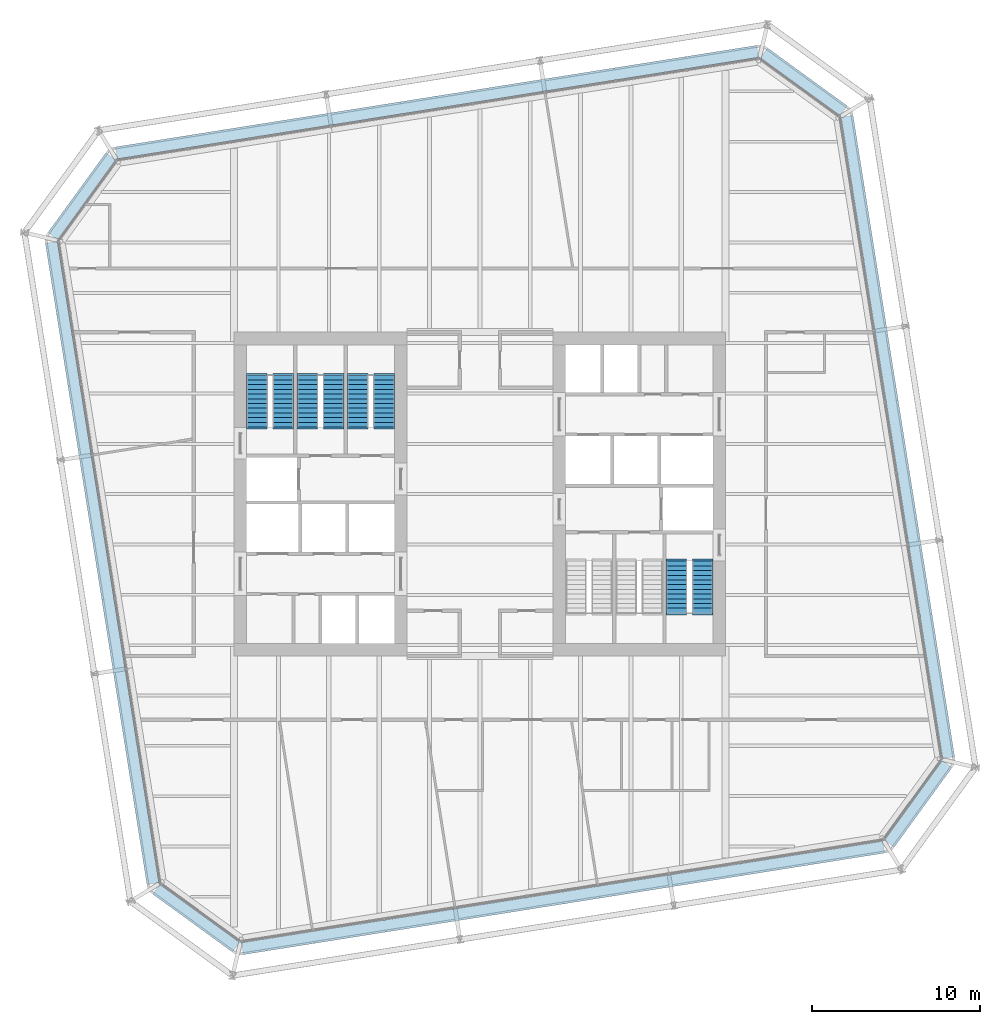
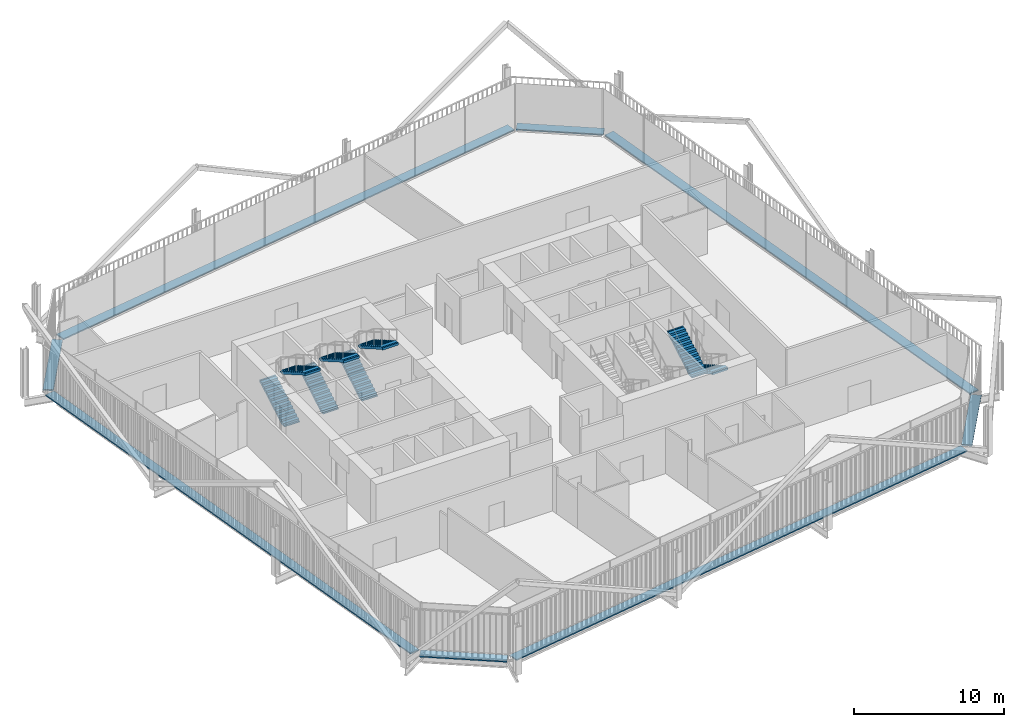
# One storey, part 21 of 22: 8 discrete accessories, 8 stair flights, 4 elements without a shape of their own.
"""IFC4 building model written with IfcOpenShell, lengths in metres."""

from ifc_helpers import new_model, si_unit, direction, frame, origin, origin_2d, place, context, subcontext, project, spatial, polyline, rectangle, outline, extrude, material, type_object, element, aggregate, save


model = new_model("IFC4")

# Units and contexts
model_context = context("Model", 3, precision=1e-05, world=origin(), true_north=direction((0.0, 1.0)))
body_context = subcontext(model_context, "Body", "Model", "MODEL_VIEW")
ifc_project = project(units=[si_unit("LENGTHUNIT", "METRE"), si_unit("AREAUNIT", "SQUARE_METRE"), si_unit("VOLUMEUNIT", "CUBIC_METRE"), si_unit("PLANEANGLEUNIT", "RADIAN"), si_unit("MASSUNIT", "GRAM", prefix="KILO")], contexts=[model_context])

# Site, building, storey
site_placement = place(None, origin())
site = spatial("IfcSite", under=ifc_project, at=site_placement, CompositionType="ELEMENT")
building_placement = place(site_placement, origin())
building = spatial("IfcBuilding", under=site, at=building_placement, Name="Millrace Tower", CompositionType="ELEMENT")
storey_placement = place(building_placement, frame((0.0, 0.0, 145.10009765625)))
storey = spatial("IfcBuildingStorey", under=building, at=storey_placement, Name="L32", CompositionType="ELEMENT", Elevation=145.10009765625)

# Stair, stair flights
ifc_material_1 = material(Name="Concrete C35", Category="concrete")
stair_type = type_object("IfcStairType", Name="Exit stair", PredefinedType="HALF_TURN_STAIR", material=ifc_material_1)
placement = place(storey_placement, origin())
stair_1 = element("IfcStair", 1, at=placement, inside=storey, type_object=stair_type, Name="Stair 1 W L32", PredefinedType="HALF_TURN_STAIR")
ifc_material_2 = material(Name="Concrete C35", Category="concrete")
stair_flight_type = type_object("IfcStairFlightType", Name="Exit stair flight", PredefinedType="STRAIGHT", material=ifc_material_2)
stair_flight_1_placement = place(storey_placement, frame((-13.2900390625, 4.0, 0.0), z_axis=(0.0, 0.0, 1.0), x_axis=(0.0, 1.0, 0.0)))
stair_flight_1 = element("IfcStairFlight", 2, at=stair_flight_1_placement, type_object=stair_flight_type, Name="ST12 flight 1", NumberOfRisers=12, NumberOfTreads=11, PredefinedType="STRAIGHT", RiserHeight=0.1625, TreadLength=0.28, context=body_context, shape_type="SweptSolid", body=[
    extrude(outline(polyline([(-0.1201171875, -0.0400390625), (-0.1201171875, 0.0), (0.0, 0.0), (0.0, 0.16259765625), (0.280029296875, 0.16259765625), (0.280029296875, 0.324951171875), (0.56005859375, 0.324951171875), (0.56005859375, 0.487548828125), (0.840087890625, 0.487548828125), (0.840087890625, 0.64990234375), (1.1201171875, 0.64990234375), (1.1201171875, 0.8125), (1.39990234375, 0.8125), (1.39990234375, 0.97509765625), (1.679931640625, 0.97509765625), (1.679931640625, 1.137451171875), (1.9599609375, 1.137451171875), (1.9599609375, 1.300048828125), (2.239990234375, 1.300048828125), (2.239990234375, 1.46240234375), (2.52001953125, 1.46240234375), (2.52001953125, 1.625), (2.800048828125, 1.625), (2.800048828125, 1.78759765625), (3.080078125, 1.78759765625), (3.080078125, 1.8076171875), (3.199951171875, 1.8076171875), (3.199951171875, 1.6142578125), (3.080078125, 1.6142578125), (0.298583984375, 0.0), (0.298583984375, -0.0400390625), (-0.1201171875, -0.0400390625)])), frame((0.0, 0.60986328125, 0.0), z_axis=(0.0, -1.0, 0.0), x_axis=(1.0, 0.0, 0.0)), (0.0, 0.0, 1.0), 1.219970703125),
])
stair_flight_2_placement = place(storey_placement, frame((-11.7099609375, 7.080078125, 1.949951171875), z_axis=(0.0, 0.0, 1.0), x_axis=(0.0, -1.0, 0.0)))
stair_flight_2 = element("IfcStairFlight", 3, at=stair_flight_2_placement, type_object=stair_flight_type, Name="ST12 flight 2", NumberOfRisers=12, NumberOfTreads=11, PredefinedType="STRAIGHT", RiserHeight=0.1625, TreadLength=0.28, context=body_context, shape_type="SweptSolid", body=[
    extrude(outline(polyline([(-0.1201171875, -0.0400390625), (-0.1201171875, 0.0), (0.0, 0.0), (0.0, 0.16259765625), (0.280029296875, 0.16259765625), (0.280029296875, 0.324951171875), (0.56005859375, 0.324951171875), (0.56005859375, 0.487548828125), (0.840087890625, 0.487548828125), (0.840087890625, 0.64990234375), (1.1201171875, 0.64990234375), (1.1201171875, 0.8125), (1.39990234375, 0.8125), (1.39990234375, 0.97509765625), (1.679931640625, 0.97509765625), (1.679931640625, 1.137451171875), (1.9599609375, 1.137451171875), (1.9599609375, 1.300048828125), (2.239990234375, 1.300048828125), (2.239990234375, 1.46240234375), (2.52001953125, 1.46240234375), (2.52001953125, 1.625), (2.800048828125, 1.625), (2.800048828125, 1.78759765625), (3.080078125, 1.78759765625), (3.080078125, 1.8076171875), (3.199951171875, 1.8076171875), (3.199951171875, 1.6142578125), (3.080078125, 1.6142578125), (0.298583984375, 0.0), (0.298583984375, -0.0400390625), (-0.1201171875, -0.0400390625)])), frame((0.0, 0.60986328125, 0.0), z_axis=(0.0, -1.0, 0.0), x_axis=(1.0, 0.0, 0.0)), (0.0, 0.0, 1.0), 1.219970703125),
])
aggregate(stair_1, [stair_flight_1, stair_flight_2])

stair_2 = element("IfcStair", 4, at=placement, inside=storey, type_object=stair_type, Name="Stair 2 W L32", PredefinedType="HALF_TURN_STAIR")
stair_flight_3_placement = place(storey_placement, frame((-10.2900390625, 4.0, 0.0), z_axis=(0.0, 0.0, 1.0), x_axis=(0.0, 1.0, 0.0)))
stair_flight_3 = element("IfcStairFlight", 5, at=stair_flight_3_placement, type_object=stair_flight_type, Name="ST12 flight 1", NumberOfRisers=12, NumberOfTreads=11, PredefinedType="STRAIGHT", RiserHeight=0.1625, TreadLength=0.28, context=body_context, shape_type="SweptSolid", body=[
    extrude(outline(polyline([(-0.1201171875, -0.0400390625), (-0.1201171875, 0.0), (0.0, 0.0), (0.0, 0.16259765625), (0.280029296875, 0.16259765625), (0.280029296875, 0.324951171875), (0.56005859375, 0.324951171875), (0.56005859375, 0.487548828125), (0.840087890625, 0.487548828125), (0.840087890625, 0.64990234375), (1.1201171875, 0.64990234375), (1.1201171875, 0.8125), (1.39990234375, 0.8125), (1.39990234375, 0.97509765625), (1.679931640625, 0.97509765625), (1.679931640625, 1.137451171875), (1.9599609375, 1.137451171875), (1.9599609375, 1.300048828125), (2.239990234375, 1.300048828125), (2.239990234375, 1.46240234375), (2.52001953125, 1.46240234375), (2.52001953125, 1.625), (2.800048828125, 1.625), (2.800048828125, 1.78759765625), (3.080078125, 1.78759765625), (3.080078125, 1.8076171875), (3.199951171875, 1.8076171875), (3.199951171875, 1.6142578125), (3.080078125, 1.6142578125), (0.298583984375, 0.0), (0.298583984375, -0.0400390625), (-0.1201171875, -0.0400390625)])), frame((0.0, 0.60986328125, 0.0), z_axis=(0.0, -1.0, 0.0), x_axis=(1.0, 0.0, 0.0)), (0.0, 0.0, 1.0), 1.219970703125),
])
stair_flight_4_placement = place(storey_placement, frame((-8.7099609375, 7.080078125, 1.949951171875), z_axis=(0.0, 0.0, 1.0), x_axis=(0.0, -1.0, 0.0)))
stair_flight_4 = element("IfcStairFlight", 6, at=stair_flight_4_placement, type_object=stair_flight_type, Name="ST12 flight 2", NumberOfRisers=12, NumberOfTreads=11, PredefinedType="STRAIGHT", RiserHeight=0.1625, TreadLength=0.28, context=body_context, shape_type="SweptSolid", body=[
    extrude(outline(polyline([(-0.1201171875, -0.0400390625), (-0.1201171875, 0.0), (0.0, 0.0), (0.0, 0.16259765625), (0.280029296875, 0.16259765625), (0.280029296875, 0.324951171875), (0.56005859375, 0.324951171875), (0.56005859375, 0.487548828125), (0.840087890625, 0.487548828125), (0.840087890625, 0.64990234375), (1.1201171875, 0.64990234375), (1.1201171875, 0.8125), (1.39990234375, 0.8125), (1.39990234375, 0.97509765625), (1.679931640625, 0.97509765625), (1.679931640625, 1.137451171875), (1.9599609375, 1.137451171875), (1.9599609375, 1.300048828125), (2.239990234375, 1.300048828125), (2.239990234375, 1.46240234375), (2.52001953125, 1.46240234375), (2.52001953125, 1.625), (2.800048828125, 1.625), (2.800048828125, 1.78759765625), (3.080078125, 1.78759765625), (3.080078125, 1.8076171875), (3.199951171875, 1.8076171875), (3.199951171875, 1.6142578125), (3.080078125, 1.6142578125), (0.298583984375, 0.0), (0.298583984375, -0.0400390625), (-0.1201171875, -0.0400390625)])), frame((0.0, 0.60986328125, 0.0), z_axis=(0.0, -1.0, 0.0), x_axis=(1.0, 0.0, 0.0)), (0.0, 0.0, 1.0), 1.219970703125),
])
aggregate(stair_2, [stair_flight_3, stair_flight_4])

stair_3 = element("IfcStair", 7, at=placement, inside=storey, type_object=stair_type, Name="Stair 3 W L32", PredefinedType="HALF_TURN_STAIR")
stair_flight_5_placement = place(storey_placement, frame((-7.2900390625, 4.0, 0.0), z_axis=(0.0, 0.0, 1.0), x_axis=(0.0, 1.0, 0.0)))
stair_flight_5 = element("IfcStairFlight", 8, at=stair_flight_5_placement, type_object=stair_flight_type, Name="ST12 flight 1", NumberOfRisers=12, NumberOfTreads=11, PredefinedType="STRAIGHT", RiserHeight=0.1625, TreadLength=0.28, context=body_context, shape_type="SweptSolid", body=[
    extrude(outline(polyline([(-0.1201171875, -0.0400390625), (-0.1201171875, 0.0), (0.0, 0.0), (0.0, 0.16259765625), (0.280029296875, 0.16259765625), (0.280029296875, 0.324951171875), (0.56005859375, 0.324951171875), (0.56005859375, 0.487548828125), (0.840087890625, 0.487548828125), (0.840087890625, 0.64990234375), (1.1201171875, 0.64990234375), (1.1201171875, 0.8125), (1.39990234375, 0.8125), (1.39990234375, 0.97509765625), (1.679931640625, 0.97509765625), (1.679931640625, 1.137451171875), (1.9599609375, 1.137451171875), (1.9599609375, 1.300048828125), (2.239990234375, 1.300048828125), (2.239990234375, 1.46240234375), (2.52001953125, 1.46240234375), (2.52001953125, 1.625), (2.800048828125, 1.625), (2.800048828125, 1.78759765625), (3.080078125, 1.78759765625), (3.080078125, 1.8076171875), (3.199951171875, 1.8076171875), (3.199951171875, 1.6142578125), (3.080078125, 1.6142578125), (0.298583984375, 0.0), (0.298583984375, -0.0400390625), (-0.1201171875, -0.0400390625)])), frame((0.0, 0.60986328125, 0.0), z_axis=(0.0, -1.0, 0.0), x_axis=(1.0, 0.0, 0.0)), (0.0, 0.0, 1.0), 1.219970703125),
])
stair_flight_6_placement = place(storey_placement, frame((-5.7099609375, 7.080078125, 1.949951171875), z_axis=(0.0, 0.0, 1.0), x_axis=(0.0, -1.0, 0.0)))
stair_flight_6 = element("IfcStairFlight", 9, at=stair_flight_6_placement, type_object=stair_flight_type, Name="ST12 flight 2", NumberOfRisers=12, NumberOfTreads=11, PredefinedType="STRAIGHT", RiserHeight=0.1625, TreadLength=0.28, context=body_context, shape_type="SweptSolid", body=[
    extrude(outline(polyline([(-0.1201171875, -0.0400390625), (-0.1201171875, 0.0), (0.0, 0.0), (0.0, 0.16259765625), (0.280029296875, 0.16259765625), (0.280029296875, 0.324951171875), (0.56005859375, 0.324951171875), (0.56005859375, 0.487548828125), (0.840087890625, 0.487548828125), (0.840087890625, 0.64990234375), (1.1201171875, 0.64990234375), (1.1201171875, 0.8125), (1.39990234375, 0.8125), (1.39990234375, 0.97509765625), (1.679931640625, 0.97509765625), (1.679931640625, 1.137451171875), (1.9599609375, 1.137451171875), (1.9599609375, 1.300048828125), (2.239990234375, 1.300048828125), (2.239990234375, 1.46240234375), (2.52001953125, 1.46240234375), (2.52001953125, 1.625), (2.800048828125, 1.625), (2.800048828125, 1.78759765625), (3.080078125, 1.78759765625), (3.080078125, 1.8076171875), (3.199951171875, 1.8076171875), (3.199951171875, 1.6142578125), (3.080078125, 1.6142578125), (0.298583984375, 0.0), (0.298583984375, -0.0400390625), (-0.1201171875, -0.0400390625)])), frame((0.0, 0.60986328125, 0.0), z_axis=(0.0, -1.0, 0.0), x_axis=(1.0, 0.0, 0.0)), (0.0, 0.0, 1.0), 1.219970703125),
])
aggregate(stair_3, [stair_flight_5, stair_flight_6])

stair_4 = element("IfcStair", 10, at=placement, inside=storey, type_object=stair_type, Name="Stair 1 E L32", PredefinedType="HALF_TURN_STAIR")
stair_flight_7_placement = place(storey_placement, frame((13.2900390625, -4.0, 0.0), z_axis=(0.0, 0.0, 1.0), x_axis=(0.0, -1.0, 0.0)))
stair_flight_7 = element("IfcStairFlight", 11, at=stair_flight_7_placement, type_object=stair_flight_type, Name="ST12 flight 1", NumberOfRisers=12, NumberOfTreads=11, PredefinedType="STRAIGHT", RiserHeight=0.1625, TreadLength=0.28, context=body_context, shape_type="SweptSolid", body=[
    extrude(outline(polyline([(-0.1201171875, -0.0400390625), (-0.1201171875, 0.0), (0.0, 0.0), (0.0, 0.16259765625), (0.280029296875, 0.16259765625), (0.280029296875, 0.324951171875), (0.56005859375, 0.324951171875), (0.56005859375, 0.487548828125), (0.840087890625, 0.487548828125), (0.840087890625, 0.64990234375), (1.1201171875, 0.64990234375), (1.1201171875, 0.8125), (1.39990234375, 0.8125), (1.39990234375, 0.97509765625), (1.679931640625, 0.97509765625), (1.679931640625, 1.137451171875), (1.9599609375, 1.137451171875), (1.9599609375, 1.300048828125), (2.239990234375, 1.300048828125), (2.239990234375, 1.46240234375), (2.52001953125, 1.46240234375), (2.52001953125, 1.625), (2.800048828125, 1.625), (2.800048828125, 1.78759765625), (3.080078125, 1.78759765625), (3.080078125, 1.8076171875), (3.199951171875, 1.8076171875), (3.199951171875, 1.6142578125), (3.080078125, 1.6142578125), (0.298583984375, 0.0), (0.298583984375, -0.0400390625), (-0.1201171875, -0.0400390625)])), frame((0.0, 0.60986328125, 0.0), z_axis=(0.0, -1.0, 0.0), x_axis=(1.0, 0.0, 0.0)), (0.0, 0.0, 1.0), 1.219970703125),
])
stair_flight_8_placement = place(storey_placement, frame((11.7099609375, -7.080078125, 1.949951171875), z_axis=(0.0, 0.0, 1.0), x_axis=(0.0, 1.0, 0.0)))
stair_flight_8 = element("IfcStairFlight", 12, at=stair_flight_8_placement, type_object=stair_flight_type, Name="ST12 flight 2", NumberOfRisers=12, NumberOfTreads=11, PredefinedType="STRAIGHT", RiserHeight=0.1625, TreadLength=0.28, context=body_context, shape_type="SweptSolid", body=[
    extrude(outline(polyline([(-0.1201171875, -0.0400390625), (-0.1201171875, 0.0), (0.0, 0.0), (0.0, 0.16259765625), (0.280029296875, 0.16259765625), (0.280029296875, 0.324951171875), (0.56005859375, 0.324951171875), (0.56005859375, 0.487548828125), (0.840087890625, 0.487548828125), (0.840087890625, 0.64990234375), (1.1201171875, 0.64990234375), (1.1201171875, 0.8125), (1.39990234375, 0.8125), (1.39990234375, 0.97509765625), (1.679931640625, 0.97509765625), (1.679931640625, 1.137451171875), (1.9599609375, 1.137451171875), (1.9599609375, 1.300048828125), (2.239990234375, 1.300048828125), (2.239990234375, 1.46240234375), (2.52001953125, 1.46240234375), (2.52001953125, 1.625), (2.800048828125, 1.625), (2.800048828125, 1.78759765625), (3.080078125, 1.78759765625), (3.080078125, 1.8076171875), (3.199951171875, 1.8076171875), (3.199951171875, 1.6142578125), (3.080078125, 1.6142578125), (0.298583984375, 0.0), (0.298583984375, -0.0400390625), (-0.1201171875, -0.0400390625)])), frame((0.0, 0.60986328125, 0.0), z_axis=(0.0, -1.0, 0.0), x_axis=(1.0, 0.0, 0.0)), (0.0, 0.0, 1.0), 1.219970703125),
])
aggregate(stair_4, [stair_flight_7, stair_flight_8])

# Discrete accessories
ifc_material_3 = material(Name="Stainless steel ASTM A240 type 316", Category="steel")
discrete_accessory_type = type_object("IfcDiscreteAccessoryType", Name="Thermally broken screen support rail", PredefinedType="BRACKET", material=ifc_material_3)
discrete_accessory_1_placement = place(storey_placement, frame((-16.909423828125, -25.275390625, -0.000244140625), z_axis=(0.0, 0.0, 1.0), x_axis=(0.809016981623, -0.587785269844, 0.0)))
element("IfcDiscreteAccessory", 13, at=discrete_accessory_1_placement, inside=storey, type_object=discrete_accessory_type, Name="Thermally broken screen support rail C-F01 L32 1", PredefinedType="BRACKET", context=body_context, shape_type="SweptSolid", body=[
    extrude(rectangle(XDim=5.868896484375, YDim=0.719970703125, at=origin_2d()), origin(), (0.0, 0.0, 1.0), 0.10009765625),
])
discrete_accessory_2_placement = place(storey_placement, frame((4.9560546875, -24.064453125, -0.000244140625), z_axis=(0.0, 0.0, 1.0), x_axis=(0.98768833929, 0.15643447328, 0.0)))
element("IfcDiscreteAccessory", 14, at=discrete_accessory_2_placement, inside=storey, type_object=discrete_accessory_type, Name="Thermally broken screen support rail C-F02 L32 1", PredefinedType="BRACKET", context=body_context, shape_type="SweptSolid", body=[
    extrude(rectangle(XDim=38.699951171875, YDim=0.719970703125, at=origin_2d()), origin(), (0.0, 0.0, 1.0), 0.10009765625),
])
discrete_accessory_3_placement = place(storey_placement, frame((26.12548828125, -18.45947265625, -0.000244140625), z_axis=(0.0, 0.0, 1.0), x_axis=(0.587785269844, 0.809016981623, 0.0)))
element("IfcDiscreteAccessory", 15, at=discrete_accessory_3_placement, inside=storey, type_object=discrete_accessory_type, Name="Thermally broken screen support rail C-F03 L32 1", PredefinedType="BRACKET", context=body_context, shape_type="SweptSolid", body=[
    extrude(rectangle(XDim=5.868896484375, YDim=0.719970703125, at=origin_2d()), origin(), (0.0, 0.0, 1.0), 0.10009765625),
])
discrete_accessory_4_placement = place(storey_placement, frame((24.914306640625, 3.406005859375, -0.000244140625), z_axis=(0.0, 0.0, 1.0), x_axis=(-0.15643447328, 0.98768833929, 0.0)))
element("IfcDiscreteAccessory", 16, at=discrete_accessory_4_placement, inside=storey, type_object=discrete_accessory_type, Name="Thermally broken screen support rail C-F04 L32 1", PredefinedType="BRACKET", context=body_context, shape_type="SweptSolid", body=[
    extrude(rectangle(XDim=38.699951171875, YDim=0.719970703125, at=origin_2d()), origin(), (0.0, 0.0, 1.0), 0.10009765625),
])
discrete_accessory_5_placement = place(storey_placement, frame((19.309326171875, 24.575439453125, -0.000244140625), z_axis=(0.0, 0.0, 1.0), x_axis=(-0.809016981623, 0.587785269844, 0.0)))
element("IfcDiscreteAccessory", 17, at=discrete_accessory_5_placement, inside=storey, type_object=discrete_accessory_type, Name="Thermally broken screen support rail C-F05 L32 1", PredefinedType="BRACKET", context=body_context, shape_type="SweptSolid", body=[
    extrude(rectangle(XDim=5.868896484375, YDim=0.719970703125, at=origin_2d()), origin(), (0.0, 0.0, 1.0), 0.10009765625),
])
discrete_accessory_6_placement = place(storey_placement, frame((-2.555908203125, 23.364501953125, -0.000244140625), z_axis=(0.0, 0.0, 1.0), x_axis=(-0.98768833929, -0.15643447328, 0.0)))
element("IfcDiscreteAccessory", 18, at=discrete_accessory_6_placement, inside=storey, type_object=discrete_accessory_type, Name="Thermally broken screen support rail C-F06 L32 1", PredefinedType="BRACKET", context=body_context, shape_type="SweptSolid", body=[
    extrude(rectangle(XDim=38.699951171875, YDim=0.719970703125, at=origin_2d()), origin(), (0.0, 0.0, 1.0), 0.10009765625),
])
discrete_accessory_7_placement = place(storey_placement, frame((-23.725341796875, 17.75927734375, -0.000244140625), z_axis=(0.0, 0.0, 1.0), x_axis=(-0.587785269844, -0.809016981623, 0.0)))
element("IfcDiscreteAccessory", 19, at=discrete_accessory_7_placement, inside=storey, type_object=discrete_accessory_type, Name="Thermally broken screen support rail C-F07 L32 1", PredefinedType="BRACKET", context=body_context, shape_type="SweptSolid", body=[
    extrude(rectangle(XDim=5.868896484375, YDim=0.719970703125, at=origin_2d()), origin(), (0.0, 0.0, 1.0), 0.10009765625),
])
discrete_accessory_8_placement = place(storey_placement, frame((-22.514404296875, -4.10595703125, -0.000244140625), z_axis=(0.0, 0.0, 1.0), x_axis=(0.15643447328, -0.98768833929, 0.0)))
element("IfcDiscreteAccessory", 20, at=discrete_accessory_8_placement, inside=storey, type_object=discrete_accessory_type, Name="Thermally broken screen support rail C-F08 L32 1", PredefinedType="BRACKET", context=body_context, shape_type="SweptSolid", body=[
    extrude(rectangle(XDim=38.699951171875, YDim=0.719970703125, at=origin_2d()), origin(), (0.0, 0.0, 1.0), 0.10009765625),
])

save(model, "model.ifc")
